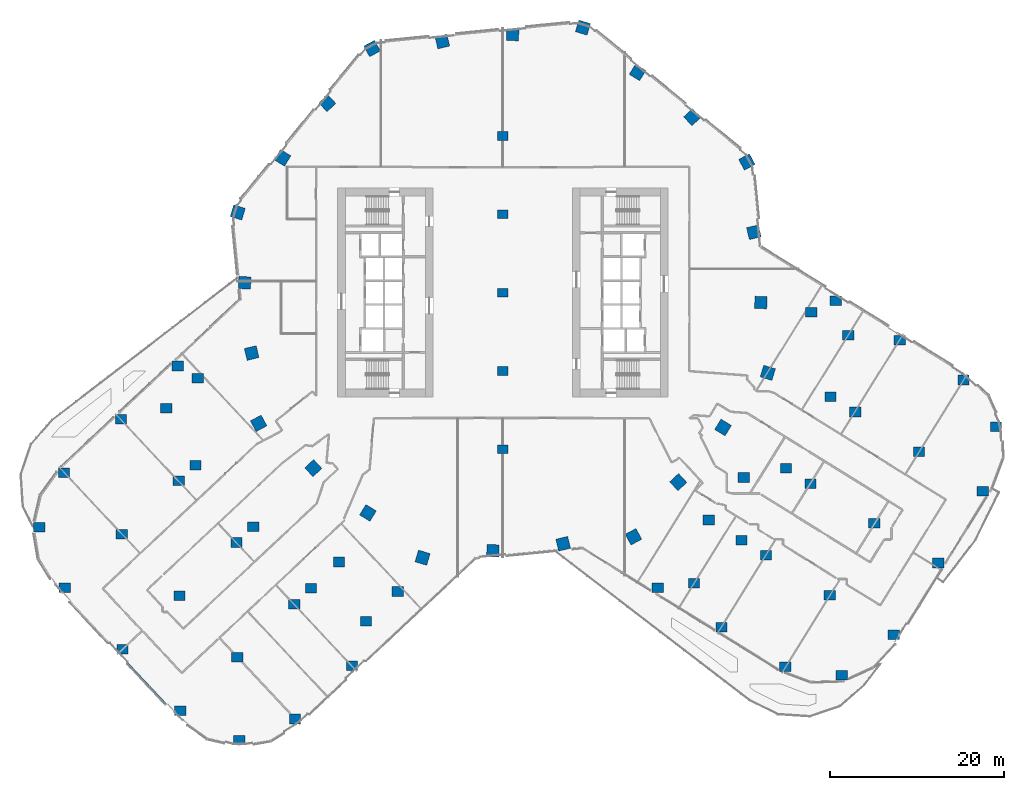
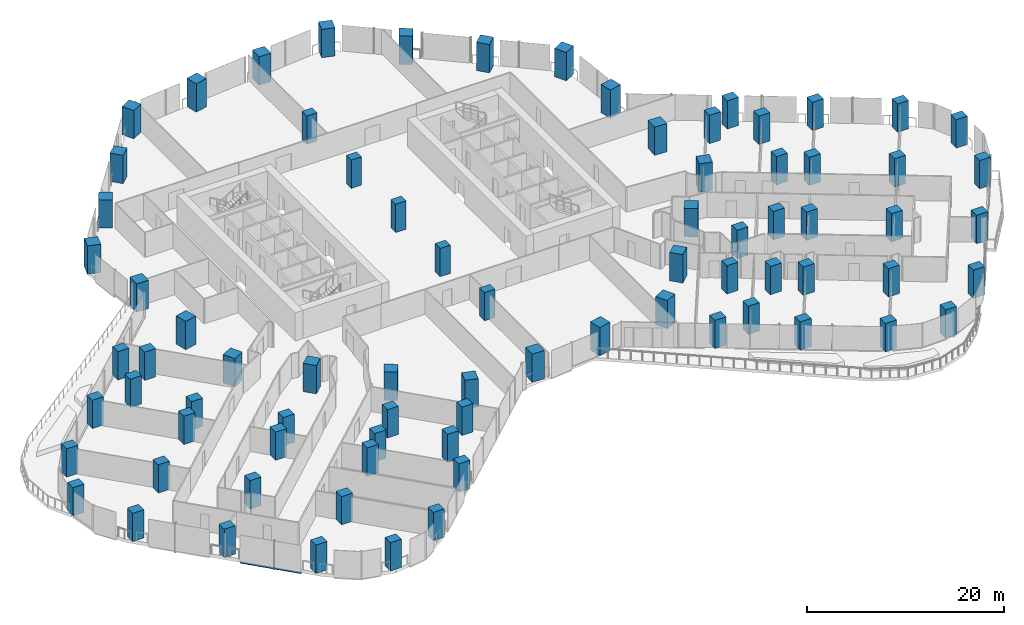
# One storey, part 1 of 34: 78 columns, 1 member, 1 element without a shape of its own.
"""IFC4 building model written with IfcOpenShell, lengths in metres."""

from ifc_helpers import new_model, si_unit, direction, frame, origin, origin_2d, place, context, subcontext, project, spatial, rectangle, extrude, material, material_profile, profile_set, type_object, element, aggregate, save


model = new_model("IFC4")

# Units and contexts
model_context = context("Model", 3, precision=1e-05, world=origin(), true_north=direction((0.0, 1.0)))
body_context = subcontext(model_context, "Body", "Model", "MODEL_VIEW")
ifc_project = project(units=[si_unit("LENGTHUNIT", "METRE"), si_unit("AREAUNIT", "SQUARE_METRE"), si_unit("VOLUMEUNIT", "CUBIC_METRE"), si_unit("PLANEANGLEUNIT", "RADIAN"), si_unit("MASSUNIT", "GRAM", prefix="KILO")], contexts=[model_context])

# Site, building, storey
site_placement = place(None, origin())
site = spatial("IfcSite", under=ifc_project, at=site_placement, CompositionType="ELEMENT")
building_placement = place(site_placement, origin())
building = spatial("IfcBuilding", under=site, at=building_placement, Name="Orlundy Tower", CompositionType="ELEMENT")
storey_placement = place(building_placement, frame((0.0, 0.0, 37.300048828125)))
storey = spatial("IfcBuildingStorey", under=building, at=storey_placement, Name="L07", CompositionType="ELEMENT", Elevation=37.300048828125)

# Columns
ifc_material_1 = material(Name="Concrete C80/95", Category="concrete")
ifc_material_profile_1 = material_profile(ifc_material_1, rectangle(XDim=1.199951171875, YDim=1.0, at=origin_2d()), Name="RC1200X1000")
ifc_profile_set_1 = profile_set([ifc_material_profile_1], Name="Concrete C80/95")
column_type_1 = type_object("IfcColumnType", Name="RC COLUMN RC1200X1000 C80/95", PredefinedType="COLUMN", material=ifc_profile_set_1)
for number, where, z_axis, x_axis, name in (
    (1, (0.0, -18.0, 0.0), (0.0, 0.0, 1.0), (1.0, 0.0, 0.0), "Column C-M1 L07"),
    (2, (0.0, -9.0, 0.0), (0.0, 0.0, 1.0), (1.0, 0.0, 0.0), "Column C-M2 L07"),
    (3, (0.0, 0.0, 0.0), (0.0, 0.0, 1.0), (1.0, 0.0, 0.0), "Column C-M3 L07"),
    (4, (0.0, 9.0, 0.0), (0.0, 0.0, 1.0), (1.0, 0.0, 0.0), "Column C-M4 L07"),
    (5, (0.0, 18.0, 0.0), (0.0, 0.0, 1.0), (1.0, 0.0, 0.0), "Column C-M5 L07"),
):
    element("IfcColumn", number, at=place(storey_placement, frame(where, z_axis=z_axis, x_axis=x_axis)), inside=storey, type_object=column_type_1, Name=name, PredefinedType="COLUMN", context=body_context, shape_type="SweptSolid", body=[
        extrude(rectangle(XDim=1.199951171875, YDim=1.0, at=origin_2d()), origin(), (0.0, 0.0, 1.0), 3.5),
    ])
ifc_material_2 = material(Name="Concrete C80/95", Category="concrete")
ifc_material_profile_2 = material_profile(ifc_material_2, rectangle(XDim=1.300048828125, YDim=1.10009765625, at=origin_2d()), Name="RC1300X1100")
ifc_profile_set_2 = profile_set([ifc_material_profile_2], Name="Concrete C80/95")
column_type_2 = type_object("IfcColumnType", Name="RC COLUMN RC1300X1100 C80/95", PredefinedType="COLUMN", material=ifc_profile_set_2)
for number, where, z_axis, x_axis, name in (
    (6, (17.803955078125, -33.887939453125, 0.0), (0.0, 0.0, 1.0), (1.0, 0.0, 0.0), "Column C-A1-1 L07"),
    (7, (25.138916015625, -38.44091796875, 0.0), (0.0, 0.0, 1.0), (1.0, 0.0, 0.0), "Column C-A1-2 L07"),
    (8, (32.47509765625, -42.991943359375, 0.0), (0.0, 0.0, 1.0), (1.0, 0.0, 0.0), "Column C-A1-3 L07"),
    (9, (38.968017578125, -43.958984375, 0.0), (0.0, 0.0, 1.0), (1.0, 0.0, 0.0), "Column C-A1-5 L07"),
    (10, (21.97705078125, -33.409912109375, 0.0), (0.0, 0.0, 1.0), (1.0, 0.0, 0.0), "Column C-A1-6 L07"),
    (11, (30.2548828125, -30.199951171875, 0.0), (0.0, 0.0, 1.0), (1.0, 0.0, 0.0), "Column C-A2-2 L07"),
    (12, (37.590087890625, -34.75390625, 0.0), (0.0, 0.0, 1.0), (1.0, 0.0, 0.0), "Column C-A2-3 L07"),
    (13, (44.924072265625, -39.30810546875, 0.0), (0.0, 0.0, 1.0), (1.0, 0.0, 0.0), "Column C-A2-5 L07"),
    (14, (27.423095703125, -28.44189453125, 0.0), (0.0, 0.0, 1.0), (1.0, 0.0, 0.0), "Column C-A2-6 L07"),
    (15, (23.68505859375, -26.1220703125, 0.0), (0.0, 0.0, 1.0), (1.0, 0.0, 0.0), "Column C-A2-7 L07"),
    (16, (35.37109375, -21.9599609375, 0.0), (0.0, 0.0, 1.0), (1.0, 0.0, 0.0), "Column C-A3-2 L07"),
    (17, (42.7060546875, -26.512939453125, 0.0), (0.0, 0.0, 1.0), (1.0, 0.0, 0.0), "Column C-A3-3 L07"),
    (18, (50.041015625, -31.06689453125, 0.0), (0.0, 0.0, 1.0), (1.0, 0.0, 0.0), "Column C-A3-5 L07"),
    (19, (32.5390625, -20.200927734375, 0.0), (0.0, 0.0, 1.0), (1.0, 0.0, 0.0), "Column C-A3-6 L07"),
    (20, (27.68798828125, -21.24609375, 0.0), (0.0, 0.0, 1.0), (1.0, 0.0, 0.0), "Column C-A3-7 L07"),
    (21, (40.487060546875, -13.718994140625, 0.0), (0.0, 0.0, 1.0), (1.0, 0.0, 0.0), "Column C-A4-2 L07"),
    (22, (47.822021484375, -18.27197265625, 0.0), (0.0, 0.0, 1.0), (1.0, 0.0, 0.0), "Column C-A4-3 L07"),
    (23, (55.156982421875, -22.825927734375, 0.0), (0.0, 0.0, 1.0), (1.0, 0.0, 0.0), "Column C-A4-5 L07"),
    (24, (37.655029296875, -11.9599609375, 0.0), (0.0, 0.0, 1.0), (1.0, 0.0, 0.0), "Column C-A4-6 L07"),
    (25, (38.26904296875, -0.924072265625, 0.0), (0.0, 0.0, 1.0), (1.0, 0.0, 0.0), "Column C-A5-1 L07"),
    (26, (45.60400390625, -5.47802734375, 0.0), (0.0, 0.0, 1.0), (1.0, 0.0, 0.0), "Column C-A5-2 L07"),
    (27, (52.93603515625, -10.034912109375, 0.0), (0.0, 0.0, 1.0), (1.0, 0.0, 0.0), "Column C-A5-3 L07"),
    (28, (56.68408203125, -15.425048828125, 0.0), (0.0, 0.0, 1.0), (1.0, 0.0, 0.0), "Column C-A5-5 L07"),
    (29, (39.69189453125, -4.8759765625, 0.0), (0.0, 0.0, 1.0), (1.0, 0.0, 0.0), "Column C-A5-6 L07"),
    (30, (35.444091796875, -2.238037109375, 0.0), (0.0, 0.0, 1.0), (1.0, 0.0, 0.0), "Column C-A5-7 L07"),
    (31, (-37.341064453125, -8.426025390625, 0.0), (0.0, 0.0, 1.0), (1.0, 0.0, 0.0), "Column C-B1-1 L07"),
    (32, (-43.881103515625, -14.56103515625, 0.0), (0.0, 0.0, 1.0), (1.0, 0.0, 0.0), "Column C-B1-2 L07"),
    (33, (-50.4208984375, -20.695068359375, 0.0), (0.0, 0.0, 1.0), (1.0, 0.0, 0.0), "Column C-B1-3 L07"),
    (34, (-53.27587890625, -26.947021484375, 0.0), (0.0, 0.0, 1.0), (1.0, 0.0, 0.0), "Column C-B1-5 L07"),
    (35, (-38.68896484375, -13.264892578125, 0.0), (0.0, 0.0, 1.0), (1.0, 0.0, 0.0), "Column C-B1-6 L07"),
    (36, (-35.0419921875, -9.843994140625, 0.0), (0.0, 0.0, 1.0), (1.0, 0.0, 0.0), "Column C-B1-7 L07"),
    (37, (-37.2451171875, -21.635009765625, 0.0), (0.0, 0.0, 1.0), (1.0, 0.0, 0.0), "Column C-B2-2 L07"),
    (38, (-43.784912109375, -27.77001953125, 0.0), (0.0, 0.0, 1.0), (1.0, 0.0, 0.0), "Column C-B2-3 L07"),
    (39, (-50.324951171875, -33.904052734375, 0.0), (0.0, 0.0, 1.0), (1.0, 0.0, 0.0), "Column C-B2-5 L07"),
    (40, (-35.300048828125, -19.81103515625, 0.0), (0.0, 0.0, 1.0), (1.0, 0.0, 0.0), "Column C-B2-6 L07"),
    (41, (-30.60888671875, -28.7099609375, 0.0), (0.0, 0.0, 1.0), (1.0, 0.0, 0.0), "Column C-B3-2 L07"),
    (42, (-37.14892578125, -34.844970703125, 0.0), (0.0, 0.0, 1.0), (1.0, 0.0, 0.0), "Column C-B3-3 L07"),
    (43, (-43.68896484375, -40.97900390625, 0.0), (0.0, 0.0, 1.0), (1.0, 0.0, 0.0), "Column C-B3-5 L07"),
    (44, (-28.6640625, -26.885986328125, 0.0), (0.0, 0.0, 1.0), (1.0, 0.0, 0.0), "Column C-B3-6 L07"),
    (45, (-23.972900390625, -35.784912109375, 0.0), (0.0, 0.0, 1.0), (1.0, 0.0, 0.0), "Column C-B4-2 L07"),
    (46, (-30.512939453125, -41.919921875, 0.0), (0.0, 0.0, 1.0), (1.0, 0.0, 0.0), "Column C-B4-3 L07"),
    (47, (-37.052978515625, -48.053955078125, 0.0), (0.0, 0.0, 1.0), (1.0, 0.0, 0.0), "Column C-B4-5 L07"),
    (48, (-22.028076171875, -33.9609375, 0.0), (0.0, 0.0, 1.0), (1.0, 0.0, 0.0), "Column C-B4-6 L07"),
    (49, (-18.819091796875, -30.950927734375, 0.0), (0.0, 0.0, 1.0), (1.0, 0.0, 0.0), "Column C-B4-7 L07"),
    (50, (-17.3369140625, -42.860107421875, 0.0), (0.0, 0.0, 1.0), (1.0, 0.0, 0.0), "Column C-B5-2 L07"),
    (51, (-23.876953125, -48.993896484375, 0.0), (0.0, 0.0, 1.0), (1.0, 0.0, 0.0), "Column C-B5-3 L07"),
    (52, (-30.299072265625, -51.444091796875, 0.0), (0.0, 0.0, 1.0), (1.0, 0.0, 0.0), "Column C-B5-5 L07"),
    (53, (-15.7119140625, -37.761962890625, 0.0), (0.0, 0.0, 1.0), (1.0, 0.0, 0.0), "Column C-B5-6 L07"),
    (54, (-12.06494140625, -34.341064453125, 0.0), (0.0, 0.0, 1.0), (1.0, 0.0, 0.0), "Column C-B5-7 L07"),
):
    element("IfcColumn", number, at=place(storey_placement, frame(where, z_axis=z_axis, x_axis=x_axis)), inside=storey, type_object=column_type_2, Name=name, PredefinedType="COLUMN", context=body_context, shape_type="SweptSolid", body=[
        extrude(rectangle(XDim=1.300048828125, YDim=1.10009765625, at=origin_2d()), origin(), (0.0, 0.0, 1.0), 3.5),
    ])
ifc_material_3 = material(Name="Concrete C80/95", Category="concrete")
ifc_material_profile_3 = material_profile(ifc_material_3, rectangle(XDim=1.39990234375, YDim=1.39990234375, at=origin_2d()), Name="RC1400X1400")
ifc_profile_set_3 = profile_set([ifc_material_profile_3], Name="Concrete C80/95")
column_type_3 = type_object("IfcColumnType", Name="RC COLUMN RC1400X1400 C80/95", PredefinedType="COLUMN", material=ifc_profile_set_3)
for number, where, z_axis, x_axis, name in (
    (55, (28.053955078125, 15.02099609375, 0.0), (0.0, 0.0, 1.0), (0.881583714147, 0.472027705702, 0.0), "Column C-H01 L07"),
    (56, (28.85595703125, 6.94189453125, 0.0), (0.0, 0.0, 1.0), (0.972259803901, 0.233903556449, 0.0), "Column C-H02 L07"),
    (57, (29.656982421875, -1.135986328125, 0.0), (0.0, 0.0, 1.0), (0.999266930894, -0.038283166309, 0.0), "Column C-H03 L07"),
    (58, (30.458984375, -9.215087890625, 0.0), (0.0, 0.0, 1.0), (0.957152868392, -0.289583125422, 0.0), "Column C-H04 L07"),
    (59, (25.31298828125, -15.4951171875, 0.0), (0.0, 0.0, 1.0), (0.852895403498, -0.522081823751, 0.0), "Column C-H05 L07"),
    (60, (20.1669921875, -21.77392578125, 0.0), (0.0, 0.0, 1.0), (0.679518136548, -0.733658709553, 0.0), "Column C-H06 L07"),
    (61, (15.02099609375, -28.053955078125, 0.0), (0.0, 0.0, 1.0), (0.472027705702, -0.881583714147, 0.0), "Column C-H07 L07"),
    (62, (6.94189453125, -28.85595703125, 0.0), (0.0, 0.0, 1.0), (0.233903556449, -0.972259803901, 0.0), "Column C-H08 L07"),
    (63, (-1.135986328125, -29.656982421875, 0.0), (0.0, 0.0, 1.0), (-0.038283166309, -0.999266930894, 0.0), "Column C-H09 L07"),
    (64, (-9.215087890625, -30.458984375, 0.0), (0.0, 0.0, 1.0), (-0.289583125422, -0.957152868392, 0.0), "Column C-H10 L07"),
    (65, (-15.4951171875, -25.31298828125, 0.0), (0.0, 0.0, 1.0), (-0.522081823751, -0.852895403498, 0.0), "Column C-H11 L07"),
    (66, (-21.77392578125, -20.1669921875, 0.0), (0.0, 0.0, 1.0), (-0.733658709553, -0.679518136548, 0.0), "Column C-H12 L07"),
    (67, (-28.053955078125, -15.02099609375, 0.0), (0.0, 0.0, 1.0), (-0.881583714147, -0.472027705702, 0.0), "Column C-H13 L07"),
    (68, (-28.85595703125, -6.94189453125, 0.0), (0.0, 0.0, 1.0), (-0.972259803901, -0.233903556449, 0.0), "Column C-H14 L07"),
    (69, (-29.656982421875, 1.135986328125, 0.0), (0.0, 0.0, 1.0), (-0.999266930894, 0.038283166309, 0.0), "Column C-H15 L07"),
    (70, (-30.458984375, 9.215087890625, 0.0), (0.0, 0.0, 1.0), (-0.957152868392, 0.289583125422, 0.0), "Column C-H16 L07"),
    (71, (-25.31298828125, 15.4951171875, 0.0), (0.0, 0.0, 1.0), (-0.852895403498, 0.522081823751, 0.0), "Column C-H17 L07"),
    (72, (-20.1669921875, 21.77392578125, 0.0), (0.0, 0.0, 1.0), (-0.679518136548, 0.733658709553, 0.0), "Column C-H18 L07"),
    (73, (-15.02099609375, 28.053955078125, 0.0), (0.0, 0.0, 1.0), (-0.472027705702, 0.881583714147, 0.0), "Column C-H19 L07"),
    (74, (-6.94189453125, 28.85595703125, 0.0), (0.0, 0.0, 1.0), (-0.233903556449, 0.972259803901, 0.0), "Column C-H20 L07"),
    (75, (1.135986328125, 29.656982421875, 0.0), (0.0, 0.0, 1.0), (0.038283166309, 0.999266930894, 0.0), "Column C-H21 L07"),
    (76, (9.215087890625, 30.458984375, 0.0), (0.0, 0.0, 1.0), (0.289583125422, 0.957152868392, 0.0), "Column C-H22 L07"),
    (77, (15.4951171875, 25.31298828125, 0.0), (0.0, 0.0, 1.0), (0.522081823751, 0.852895403498, 0.0), "Column C-H23 L07"),
    (78, (21.77392578125, 20.1669921875, 0.0), (0.0, 0.0, 1.0), (0.733658709553, 0.679518136548, 0.0), "Column C-H24 L07"),
):
    element("IfcColumn", number, at=place(storey_placement, frame(where, z_axis=z_axis, x_axis=x_axis)), inside=storey, type_object=column_type_3, Name=name, PredefinedType="COLUMN", context=body_context, shape_type="SweptSolid", body=[
        extrude(rectangle(XDim=1.39990234375, YDim=1.39990234375, at=origin_2d()), origin(), (0.0, 0.0, 1.0), 3.5),
    ])

# Curtain wall, member
ifc_material_4 = material(Name="Aluminium bronze anodised", Category="aluminium")
curtain_wall_type = type_object("IfcCurtainWallType", Name="CW1 wall", PredefinedType="NOTDEFINED", material=ifc_material_4)
curtain_wall_placement = place(storey_placement, origin())
curtain_wall = element("IfcCurtainWall", 79, at=curtain_wall_placement, inside=storey, type_object=curtain_wall_type, Name="CW1 run 023", PredefinedType="NOTDEFINED")
ifc_material_5 = material(Name="Aluminium bronze anodised", Category="aluminium")
ifc_material_profile_4 = material_profile(ifc_material_5, rectangle(XDim=0.179931640625, YDim=0.1201171875, at=origin_2d()), Name="CW1 transom 180x120")
ifc_profile_set_4 = profile_set([ifc_material_profile_4], Name="Aluminium bronze anodised")
member_type = type_object("IfcMemberType", Name="CW1 transom 180x120", PredefinedType="USERDEFINED", material=ifc_profile_set_4)
member_placement = place(storey_placement, frame((-38.689697265625, -47.3173828125, -0.360107421875), z_axis=(-0.684128867231, 0.729361154039, 0.0), x_axis=(-0.729361154039, -0.684128867231, 0.0)))
member = element("IfcMember", 80, at=member_placement, type_object=member_type, Name="CW1 transom", ObjectType="TRANSOM", PredefinedType="USERDEFINED", context=body_context, shape_type="SweptSolid", body=[
    extrude(rectangle(XDim=0.179931640625, YDim=0.1201171875, at=origin_2d()), origin(), (0.0, 0.0, 1.0), 6.444580078125),
])
aggregate(curtain_wall, [member])

save(model, "model.ifc")
